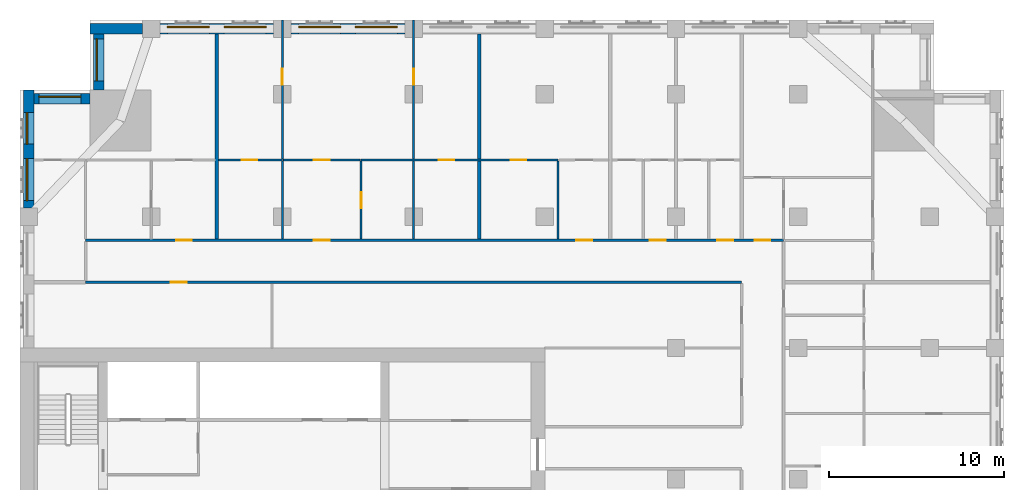
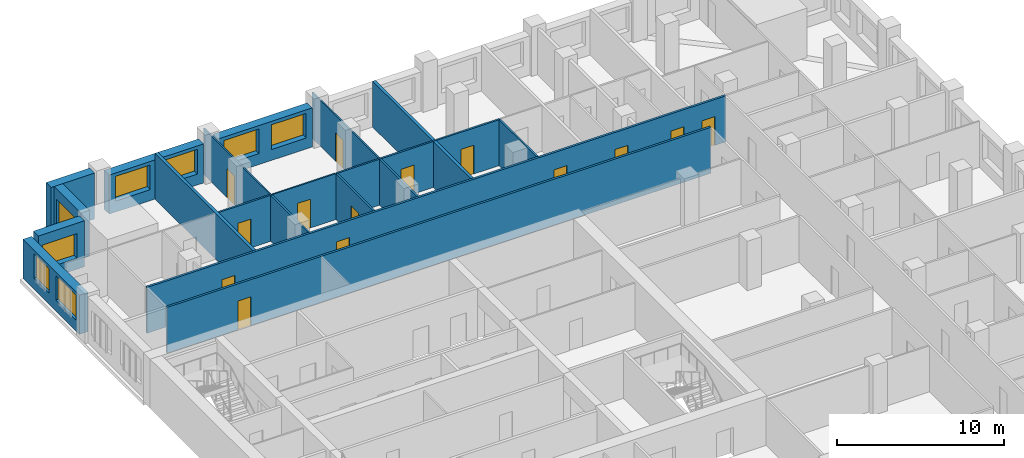
# One storey, part 9 of 14: 19 walls, 14 doors, 8 windows, 22 openings.
"""IFC4 building model written with IfcOpenShell, lengths in metres."""

from ifc_helpers import new_model, si_unit, direction, frame, frame_2d, origin, place, context, subcontext, project, spatial, rectangle, extrude, material, layer, layer_set, type_object, element, fill, save


model = new_model("IFC4")

# Units and contexts
model_context = context("Model", 3, precision=1e-05, world=origin(), true_north=direction((0.0, 1.0)))
body_context = subcontext(model_context, "Body", "Model", "MODEL_VIEW")
ifc_project = project(units=[si_unit("LENGTHUNIT", "METRE"), si_unit("AREAUNIT", "SQUARE_METRE"), si_unit("VOLUMEUNIT", "CUBIC_METRE"), si_unit("PLANEANGLEUNIT", "RADIAN"), si_unit("MASSUNIT", "GRAM", prefix="KILO")], contexts=[model_context])

# Site, building, storey
site_placement = place(None, origin())
site = spatial("IfcSite", under=ifc_project, at=site_placement, CompositionType="ELEMENT")
building_placement = place(site_placement, origin())
building = spatial("IfcBuilding", under=site, at=building_placement, Name="Tamorin Gate", CompositionType="ELEMENT")
storey_placement = place(building_placement, frame((0.0, 0.0, 137.39990234375)))
storey = spatial("IfcBuildingStorey", under=building, at=storey_placement, Name="L33", CompositionType="ELEMENT", Elevation=137.39990234375)

# Wall, openings, windows
ifc_material_1 = material(Name="Precast concrete C40/50", Category="concrete")
ifc_layer_1 = layer(ifc_material_1, 0.60009765625)
ifc_layer_set_1 = layer_set([ifc_layer_1], Name="Precast concrete C40/50")
wall_type_1 = type_object("IfcWallType", Name="Board-marked concrete facade panel 600", PredefinedType="SOLIDWALL", material=ifc_layer_set_1)
wall_1_placement = place(storey_placement, frame((52.0, 100.75, 0.0), z_axis=(0.0, 0.0, 1.0), x_axis=(-1.0, 0.0, 0.0)))
wall_1 = element("IfcWall", 1, at=wall_1_placement, inside=storey, type_object=wall_type_1, Name="Facade panel", PredefinedType="SOLIDWALL", context=body_context, shape_type="SweptSolid", body=[
    extrude(rectangle(XDim=6.5, YDim=0.60009765625, at=frame_2d((3.25, 0.0))), origin(), (0.0, 0.0, 1.0), 2.85009765625),
])
opening_1_placement = place(wall_1_placement, frame((3.675048828125, 0.0, 0.800048828125)))
opening_1 = element("IfcOpeningElement", 2, at=opening_1_placement, cuts=wall_1, Name="Opening WN1", PredefinedType="OPENING", context=body_context, shape_type="SweptSolid", body=[
    extrude(rectangle(XDim=2.39990234375, YDim=1.800048828125, at=frame_2d((1.199951171875, 0.89990234375))), frame((0.0, 0.31005859375, 0.0), z_axis=(0.0, -1.0, 0.0), x_axis=(1.0, 0.0, 0.0)), (0.0, 0.0, 1.0), 0.6201171875),
])
opening_2_placement = place(wall_1_placement, frame((0.425048828125, 0.0, 0.800048828125)))
opening_2 = element("IfcOpeningElement", 3, at=opening_2_placement, cuts=wall_1, Name="Opening WN1", PredefinedType="OPENING", context=body_context, shape_type="SweptSolid", body=[
    extrude(rectangle(XDim=2.39990234375, YDim=1.800048828125, at=frame_2d((1.199951171875, 0.89990234375))), frame((0.0, 0.31005859375, 0.0), z_axis=(0.0, -1.0, 0.0), x_axis=(1.0, 0.0, 0.0)), (0.0, 0.0, 1.0), 0.6201171875),
])
ifc_material_2 = material(Name="Clear glass in aluminium frame", Category="aluminium")
window_type_1 = type_object("IfcWindowType", Name="Deep-set window 2400x1800", PartitioningType="SINGLE_PANEL", PredefinedType="WINDOW", material=ifc_material_2)
window_1_placement = place(opening_1_placement, origin())
window_1 = element("IfcWindow", 4, at=window_1_placement, inside=storey, type_object=window_type_1, Name="Deep-set window", OverallHeight=1.800048828125, OverallWidth=2.39990234375, PartitioningType="SINGLE_PANEL", PredefinedType="WINDOW", context=body_context, shape_type="SweptSolid", body=[
    extrude(rectangle(XDim=2.39990234375, YDim=1.800048828125, at=frame_2d((1.199951171875, 0.89990234375))), frame((0.0, -0.070068359375, 0.0), z_axis=(0.0, -1.0, 0.0), x_axis=(1.0, 0.0, 0.0)), (0.0, 0.0, 1.0), 0.06005859375),
])
fill(opening_1, window_1)
window_2_placement = place(opening_2_placement, origin())
window_2 = element("IfcWindow", 5, at=window_2_placement, inside=storey, type_object=window_type_1, Name="Deep-set window", OverallHeight=1.800048828125, OverallWidth=2.39990234375, PartitioningType="SINGLE_PANEL", PredefinedType="WINDOW", context=body_context, shape_type="SweptSolid", body=[
    extrude(rectangle(XDim=2.39990234375, YDim=1.800048828125, at=frame_2d((1.199951171875, 0.89990234375))), frame((0.0, -0.070068359375, 0.0), z_axis=(0.0, -1.0, 0.0), x_axis=(1.0, 0.0, 0.0)), (0.0, 0.0, 1.0), 0.06005859375),
])
fill(opening_2, window_2)

wall_2_placement = place(storey_placement, frame((44.5, 100.75, 0.0), z_axis=(0.0, 0.0, 1.0), x_axis=(-1.0, 0.0, 0.0)))
wall_2 = element("IfcWall", 6, at=wall_2_placement, inside=storey, type_object=wall_type_1, Name="Facade panel", PredefinedType="SOLIDWALL", context=body_context, shape_type="SweptSolid", body=[
    extrude(rectangle(XDim=6.5, YDim=0.60009765625, at=frame_2d((3.25, 0.0))), origin(), (0.0, 0.0, 1.0), 2.85009765625),
])
opening_3_placement = place(wall_2_placement, frame((3.675048828125, 0.0, 0.800048828125)))
opening_3 = element("IfcOpeningElement", 7, at=opening_3_placement, cuts=wall_2, Name="Opening WN1", PredefinedType="OPENING", context=body_context, shape_type="SweptSolid", body=[
    extrude(rectangle(XDim=2.39990234375, YDim=1.800048828125, at=frame_2d((1.199951171875, 0.89990234375))), frame((0.0, 0.31005859375, 0.0), z_axis=(0.0, -1.0, 0.0), x_axis=(1.0, 0.0, 0.0)), (0.0, 0.0, 1.0), 0.6201171875),
])
opening_4_placement = place(wall_2_placement, frame((0.425048828125, 0.0, 0.800048828125)))
opening_4 = element("IfcOpeningElement", 8, at=opening_4_placement, cuts=wall_2, Name="Opening WN1", PredefinedType="OPENING", context=body_context, shape_type="SweptSolid", body=[
    extrude(rectangle(XDim=2.39990234375, YDim=1.800048828125, at=frame_2d((1.199951171875, 0.89990234375))), frame((0.0, 0.31005859375, 0.0), z_axis=(0.0, -1.0, 0.0), x_axis=(1.0, 0.0, 0.0)), (0.0, 0.0, 1.0), 0.6201171875),
])
window_3_placement = place(opening_3_placement, origin())
window_3 = element("IfcWindow", 9, at=window_3_placement, inside=storey, type_object=window_type_1, Name="Deep-set window", OverallHeight=1.800048828125, OverallWidth=2.39990234375, PartitioningType="SINGLE_PANEL", PredefinedType="WINDOW", context=body_context, shape_type="SweptSolid", body=[
    extrude(rectangle(XDim=2.39990234375, YDim=1.800048828125, at=frame_2d((1.199951171875, 0.89990234375))), frame((0.0, -0.070068359375, 0.0), z_axis=(0.0, -1.0, 0.0), x_axis=(1.0, 0.0, 0.0)), (0.0, 0.0, 1.0), 0.06005859375),
])
fill(opening_3, window_3)
window_4_placement = place(opening_4_placement, origin())
window_4 = element("IfcWindow", 10, at=window_4_placement, inside=storey, type_object=window_type_1, Name="Deep-set window", OverallHeight=1.800048828125, OverallWidth=2.39990234375, PartitioningType="SINGLE_PANEL", PredefinedType="WINDOW", context=body_context, shape_type="SweptSolid", body=[
    extrude(rectangle(XDim=2.39990234375, YDim=1.800048828125, at=frame_2d((1.199951171875, 0.89990234375))), frame((0.0, -0.070068359375, 0.0), z_axis=(0.0, -1.0, 0.0), x_axis=(1.0, 0.0, 0.0)), (0.0, 0.0, 1.0), 0.06005859375),
])
fill(opening_4, window_4)

# Wall
wall_3_placement = place(storey_placement, frame((37.0, 100.75, 0.0), z_axis=(0.0, 0.0, 1.0), x_axis=(-1.0, 0.0, 0.0)))
element("IfcWall", 11, at=wall_3_placement, inside=storey, type_object=wall_type_1, Name="Facade panel", PredefinedType="SOLIDWALL", context=body_context, shape_type="SweptSolid", body=[
    extrude(rectangle(XDim=3.0, YDim=0.60009765625, at=frame_2d((1.5, 0.0))), origin(), (0.0, 0.0, 1.0), 3.35009765625),
])

# Wall, opening, window
wall_4_placement = place(storey_placement, frame((34.5, 100.449951171875, 0.0), z_axis=(0.0, 0.0, 1.0), x_axis=(0.0, -1.0, 0.0)))
wall_4 = element("IfcWall", 12, at=wall_4_placement, inside=storey, type_object=wall_type_1, Name="Facade panel", PredefinedType="SOLIDWALL", context=body_context, shape_type="SweptSolid", body=[
    extrude(rectangle(XDim=3.199951171875, YDim=0.60009765625, at=frame_2d((1.60009765625, 0.0))), origin(), (0.0, 0.0, 1.0), 3.35009765625),
])
opening_5_placement = place(wall_4_placement, frame((0.27490234375, 0.0, 0.800048828125)))
opening_5 = element("IfcOpeningElement", 13, at=opening_5_placement, cuts=wall_4, Name="Opening WN1", PredefinedType="OPENING", context=body_context, shape_type="SweptSolid", body=[
    extrude(rectangle(XDim=2.39990234375, YDim=1.800048828125, at=frame_2d((1.199951171875, 0.89990234375))), frame((0.0, 0.31005859375, 0.0), z_axis=(0.0, -1.0, 0.0), x_axis=(1.0, 0.0, 0.0)), (0.0, 0.0, 1.0), 0.6201171875),
])
window_5_placement = place(opening_5_placement, origin())
window_5 = element("IfcWindow", 14, at=window_5_placement, inside=storey, type_object=window_type_1, Name="Deep-set window", OverallHeight=1.800048828125, OverallWidth=2.39990234375, PartitioningType="SINGLE_PANEL", PredefinedType="WINDOW", context=body_context, shape_type="SweptSolid", body=[
    extrude(rectangle(XDim=2.39990234375, YDim=1.800048828125, at=frame_2d((1.199951171875, 0.89990234375))), frame((0.0, -0.070068359375, 0.0), z_axis=(0.0, -1.0, 0.0), x_axis=(1.0, 0.0, 0.0)), (0.0, 0.0, 1.0), 0.06005859375),
])
fill(opening_5, window_5)

wall_5_placement = place(storey_placement, frame((34.0, 96.75, 0.0), z_axis=(0.0, 0.0, 1.0), x_axis=(-1.0, 0.0, 0.0)))
wall_5 = element("IfcWall", 15, at=wall_5_placement, inside=storey, type_object=wall_type_1, Name="Facade panel", PredefinedType="SOLIDWALL", context=body_context, shape_type="SweptSolid", body=[
    extrude(rectangle(XDim=3.199951171875, YDim=0.60009765625, at=frame_2d((1.60009765625, 0.0))), origin(), (0.0, 0.0, 1.0), 3.35009765625),
])
opening_6_placement = place(wall_5_placement, frame((0.52490234375, 0.0, 0.800048828125)))
opening_6 = element("IfcOpeningElement", 16, at=opening_6_placement, cuts=wall_5, Name="Opening WN1", PredefinedType="OPENING", context=body_context, shape_type="SweptSolid", body=[
    extrude(rectangle(XDim=2.39990234375, YDim=1.800048828125, at=frame_2d((1.199951171875, 0.89990234375))), frame((0.0, 0.31005859375, 0.0), z_axis=(0.0, -1.0, 0.0), x_axis=(1.0, 0.0, 0.0)), (0.0, 0.0, 1.0), 0.6201171875),
])
window_6_placement = place(opening_6_placement, origin())
window_6 = element("IfcWindow", 17, at=window_6_placement, inside=storey, type_object=window_type_1, Name="Deep-set window", OverallHeight=1.800048828125, OverallWidth=2.39990234375, PartitioningType="SINGLE_PANEL", PredefinedType="WINDOW", context=body_context, shape_type="SweptSolid", body=[
    extrude(rectangle(XDim=2.39990234375, YDim=1.800048828125, at=frame_2d((1.199951171875, 0.89990234375))), frame((0.0, -0.070068359375, 0.0), z_axis=(0.0, -1.0, 0.0), x_axis=(1.0, 0.0, 0.0)), (0.0, 0.0, 1.0), 0.06005859375),
])
fill(opening_6, window_6)

# Wall, openings, windows
wall_6_placement = place(storey_placement, frame((30.5, 97.25, 0.0), z_axis=(0.0, 0.0, 1.0), x_axis=(0.0, -1.0, 0.0)))
wall_6 = element("IfcWall", 18, at=wall_6_placement, inside=storey, type_object=wall_type_1, Name="Facade panel", PredefinedType="SOLIDWALL", context=body_context, shape_type="SweptSolid", body=[
    extrude(rectangle(XDim=6.75, YDim=0.60009765625, at=frame_2d((3.375, 0.0))), origin(), (0.0, 0.0, 1.0), 2.85009765625),
])
opening_7_placement = place(wall_6_placement, frame((3.925048828125, 0.0, 0.800048828125)))
opening_7 = element("IfcOpeningElement", 19, at=opening_7_placement, cuts=wall_6, Name="Opening WN1", PredefinedType="OPENING", context=body_context, shape_type="SweptSolid", body=[
    extrude(rectangle(XDim=2.39990234375, YDim=1.800048828125, at=frame_2d((1.199951171875, 0.89990234375))), frame((0.0, 0.31005859375, 0.0), z_axis=(0.0, -1.0, 0.0), x_axis=(1.0, 0.0, 0.0)), (0.0, 0.0, 1.0), 0.6201171875),
])
opening_8_placement = place(wall_6_placement, frame((1.300048828125, 0.0, 0.800048828125)))
opening_8 = element("IfcOpeningElement", 20, at=opening_8_placement, cuts=wall_6, Name="Opening WN2", PredefinedType="OPENING", context=body_context, shape_type="SweptSolid", body=[
    extrude(rectangle(XDim=1.800048828125, YDim=1.800048828125, at=frame_2d((0.89990234375, 0.89990234375))), frame((0.0, 0.31005859375, 0.0), z_axis=(0.0, -1.0, 0.0), x_axis=(1.0, 0.0, 0.0)), (0.0, 0.0, 1.0), 0.6201171875),
])
window_type_2 = type_object("IfcWindowType", Name="Deep-set window 1800x1800", PartitioningType="SINGLE_PANEL", PredefinedType="WINDOW", material=ifc_material_2)
window_7_placement = place(opening_8_placement, origin())
window_7 = element("IfcWindow", 21, at=window_7_placement, inside=storey, type_object=window_type_2, Name="Deep-set window", OverallHeight=1.800048828125, OverallWidth=1.800048828125, PartitioningType="SINGLE_PANEL", PredefinedType="WINDOW", context=body_context, shape_type="SweptSolid", body=[
    extrude(rectangle(XDim=1.800048828125, YDim=1.800048828125, at=frame_2d((0.89990234375, 0.89990234375))), frame((0.0, -0.070068359375, 0.0), z_axis=(0.0, -1.0, 0.0), x_axis=(1.0, 0.0, 0.0)), (0.0, 0.0, 1.0), 0.06005859375),
])
fill(opening_8, window_7)
window_8_placement = place(opening_7_placement, origin())
window_8 = element("IfcWindow", 22, at=window_8_placement, inside=storey, type_object=window_type_1, Name="Deep-set window", OverallHeight=1.800048828125, OverallWidth=2.39990234375, PartitioningType="SINGLE_PANEL", PredefinedType="WINDOW", context=body_context, shape_type="SweptSolid", body=[
    extrude(rectangle(XDim=2.39990234375, YDim=1.800048828125, at=frame_2d((1.199951171875, 0.89990234375))), frame((0.0, -0.070068359375, 0.0), z_axis=(0.0, -1.0, 0.0), x_axis=(1.0, 0.0, 0.0)), (0.0, 0.0, 1.0), 0.06005859375),
])
fill(opening_7, window_8)

# Wall, opening, door
ifc_material_3 = material(Name="Gypsum board partition")
ifc_layer_2 = layer(ifc_material_3, 0.14990234375)
ifc_layer_set_2 = layer_set([ifc_layer_2], Name="Corridor wall 150")
wall_type_2 = type_object("IfcWallType", Name="Corridor wall 150", PredefinedType="PARTITIONING", material=ifc_layer_set_2)
wall_7_placement = place(storey_placement, frame((33.75, 86.25, 0.0), z_axis=(0.0, 0.0, 1.0), x_axis=(1.0, 0.0, 0.0)))
wall_7 = element("IfcWall", 23, at=wall_7_placement, inside=storey, type_object=wall_type_2, Name="Corridor wall 150", PredefinedType="PARTITIONING", context=body_context, shape_type="SweptSolid", body=[
    extrude(rectangle(XDim=37.5, YDim=0.14990234375, at=frame_2d((18.75, 0.0))), origin(), (0.0, 0.0, 1.0), 3.35009765625),
])
opening_9_placement = place(wall_7_placement, frame((4.875, 0.0, 0.0)))
opening_9 = element("IfcOpeningElement", 24, at=opening_9_placement, cuts=wall_7, Name="Opening DS3073", PredefinedType="OPENING", context=body_context, shape_type="SweptSolid", body=[
    extrude(rectangle(XDim=0.89990234375, YDim=2.10009765625, at=frame_2d((0.449951171875, 1.050048828125))), frame((0.0, 0.0849609375, 0.0), z_axis=(0.0, -1.0, 0.0), x_axis=(1.0, 0.0, 0.0)), (0.0, 0.0, 1.0), 0.169921875),
])
ifc_material_4 = material(Name="Timber door leaf", Category="wood")
door_type_1 = type_object("IfcDoorType", Name="Door 900 x 2100 FD30S", OperationType="NOTDEFINED", PredefinedType="DOOR", material=ifc_material_4)
door_1_placement = place(opening_9_placement, origin())
door_1 = element("IfcDoor", 25, at=door_1_placement, inside=storey, type_object=door_type_1, Name="Door DS3073", OperationType="SINGLE_SWING_RIGHT", OverallHeight=2.10009765625, OverallWidth=0.89990234375, PredefinedType="DOOR", context=body_context, shape_type="SweptSolid", body=[
    extrude(rectangle(XDim=0.89990234375, YDim=2.10009765625, at=frame_2d((0.449951171875, 1.050048828125))), frame((0.0, 0.02490234375, 0.0), z_axis=(0.0, -1.0, 0.0), x_axis=(1.0, 0.0, 0.0)), (0.0, 0.0, 1.0), 0.050048828125),
])
fill(opening_9, door_1)

# Wall, openings, doors
wall_8_placement = place(storey_placement, frame((33.75, 88.64990234375, 0.0), z_axis=(0.0, 0.0, 1.0), x_axis=(1.0, 0.0, 0.0)))
wall_8 = element("IfcWall", 26, at=wall_8_placement, inside=storey, type_object=wall_type_2, Name="Corridor wall 150", PredefinedType="PARTITIONING", context=body_context, shape_type="SweptSolid", body=[
    extrude(rectangle(XDim=39.89990234375, YDim=0.14990234375, at=frame_2d((19.949951171875, 0.0))), origin(), (0.0, 0.0, 1.0), 3.35009765625),
])
opening_10_placement = place(wall_8_placement, frame((5.175048828125, 0.0, 0.0)))
opening_10 = element("IfcOpeningElement", 27, at=opening_10_placement, cuts=wall_8, Name="Opening DS3020", PredefinedType="OPENING", context=body_context, shape_type="SweptSolid", body=[
    extrude(rectangle(XDim=0.89990234375, YDim=2.10009765625, at=frame_2d((0.449951171875, 1.050048828125))), frame((0.0, 0.0849609375, 0.0), z_axis=(0.0, -1.0, 0.0), x_axis=(1.0, 0.0, 0.0)), (0.0, 0.0, 1.0), 0.169921875),
])
opening_11_placement = place(wall_8_placement, frame((13.050048828125, 0.0, 0.0)))
opening_11 = element("IfcOpeningElement", 28, at=opening_11_placement, cuts=wall_8, Name="Opening DS3023", PredefinedType="OPENING", context=body_context, shape_type="SweptSolid", body=[
    extrude(rectangle(XDim=0.89990234375, YDim=2.10009765625, at=frame_2d((0.449951171875, 1.050048828125))), frame((0.0, 0.0849609375, 0.0), z_axis=(0.0, -1.0, 0.0), x_axis=(1.0, 0.0, 0.0)), (0.0, 0.0, 1.0), 0.169921875),
])
opening_12_placement = place(wall_8_placement, frame((28.050048828125, 0.0, 0.0)))
opening_12 = element("IfcOpeningElement", 29, at=opening_12_placement, cuts=wall_8, Name="Opening DS3030", PredefinedType="OPENING", context=body_context, shape_type="SweptSolid", body=[
    extrude(rectangle(XDim=0.89990234375, YDim=2.10009765625, at=frame_2d((0.449951171875, 1.050048828125))), frame((0.0, 0.0849609375, 0.0), z_axis=(0.0, -1.0, 0.0), x_axis=(1.0, 0.0, 0.0)), (0.0, 0.0, 1.0), 0.169921875),
])
opening_13_placement = place(wall_8_placement, frame((32.262451171875, 0.0, 0.0)))
opening_13 = element("IfcOpeningElement", 30, at=opening_13_placement, cuts=wall_8, Name="Opening DS3033", PredefinedType="OPENING", context=body_context, shape_type="SweptSolid", body=[
    extrude(rectangle(XDim=0.89990234375, YDim=2.10009765625, at=frame_2d((0.449951171875, 1.050048828125))), frame((0.0, 0.0849609375, 0.0), z_axis=(0.0, -1.0, 0.0), x_axis=(1.0, 0.0, 0.0)), (0.0, 0.0, 1.0), 0.169921875),
])
opening_14_placement = place(wall_8_placement, frame((36.112548828125, 0.0, 0.0)))
opening_14 = element("IfcOpeningElement", 31, at=opening_14_placement, cuts=wall_8, Name="Opening DS3036", PredefinedType="OPENING", context=body_context, shape_type="SweptSolid", body=[
    extrude(rectangle(XDim=0.89990234375, YDim=2.10009765625, at=frame_2d((0.449951171875, 1.050048828125))), frame((0.0, 0.0849609375, 0.0), z_axis=(0.0, -1.0, 0.0), x_axis=(1.0, 0.0, 0.0)), (0.0, 0.0, 1.0), 0.169921875),
])
opening_15_placement = place(wall_8_placement, frame((38.25, 0.0, 0.0)))
opening_15 = element("IfcOpeningElement", 32, at=opening_15_placement, cuts=wall_8, Name="Opening DS3062", PredefinedType="OPENING", context=body_context, shape_type="SweptSolid", body=[
    extrude(rectangle(XDim=0.89990234375, YDim=2.10009765625, at=frame_2d((0.449951171875, 1.050048828125))), frame((0.0, 0.0849609375, 0.0), z_axis=(0.0, -1.0, 0.0), x_axis=(1.0, 0.0, 0.0)), (0.0, 0.0, 1.0), 0.169921875),
])
door_2_placement = place(opening_10_placement, origin())
door_2 = element("IfcDoor", 33, at=door_2_placement, inside=storey, type_object=door_type_1, Name="Door DS3020", OperationType="SINGLE_SWING_LEFT", OverallHeight=2.10009765625, OverallWidth=0.89990234375, PredefinedType="DOOR", context=body_context, shape_type="SweptSolid", body=[
    extrude(rectangle(XDim=0.89990234375, YDim=2.10009765625, at=frame_2d((0.449951171875, 1.050048828125))), frame((0.0, 0.02490234375, 0.0), z_axis=(0.0, -1.0, 0.0), x_axis=(1.0, 0.0, 0.0)), (0.0, 0.0, 1.0), 0.050048828125),
])
fill(opening_10, door_2)
door_3_placement = place(opening_11_placement, origin())
door_3 = element("IfcDoor", 34, at=door_3_placement, inside=storey, type_object=door_type_1, Name="Door DS3023", OperationType="SINGLE_SWING_LEFT", OverallHeight=2.10009765625, OverallWidth=0.89990234375, PredefinedType="DOOR", context=body_context, shape_type="SweptSolid", body=[
    extrude(rectangle(XDim=0.89990234375, YDim=2.10009765625, at=frame_2d((0.449951171875, 1.050048828125))), frame((0.0, 0.02490234375, 0.0), z_axis=(0.0, -1.0, 0.0), x_axis=(1.0, 0.0, 0.0)), (0.0, 0.0, 1.0), 0.050048828125),
])
fill(opening_11, door_3)
door_4_placement = place(opening_12_placement, origin())
door_4 = element("IfcDoor", 35, at=door_4_placement, inside=storey, type_object=door_type_1, Name="Door DS3030", OperationType="SINGLE_SWING_LEFT", OverallHeight=2.10009765625, OverallWidth=0.89990234375, PredefinedType="DOOR", context=body_context, shape_type="SweptSolid", body=[
    extrude(rectangle(XDim=0.89990234375, YDim=2.10009765625, at=frame_2d((0.449951171875, 1.050048828125))), frame((0.0, 0.02490234375, 0.0), z_axis=(0.0, -1.0, 0.0), x_axis=(1.0, 0.0, 0.0)), (0.0, 0.0, 1.0), 0.050048828125),
])
fill(opening_12, door_4)
door_5_placement = place(opening_13_placement, origin())
door_5 = element("IfcDoor", 36, at=door_5_placement, inside=storey, type_object=door_type_1, Name="Door DS3033", OperationType="SINGLE_SWING_LEFT", OverallHeight=2.10009765625, OverallWidth=0.89990234375, PredefinedType="DOOR", context=body_context, shape_type="SweptSolid", body=[
    extrude(rectangle(XDim=0.89990234375, YDim=2.10009765625, at=frame_2d((0.449951171875, 1.050048828125))), frame((0.0, 0.02490234375, 0.0), z_axis=(0.0, -1.0, 0.0), x_axis=(1.0, 0.0, 0.0)), (0.0, 0.0, 1.0), 0.050048828125),
])
fill(opening_13, door_5)
door_6_placement = place(opening_14_placement, origin())
door_6 = element("IfcDoor", 37, at=door_6_placement, inside=storey, type_object=door_type_1, Name="Door DS3036", OperationType="SINGLE_SWING_LEFT", OverallHeight=2.10009765625, OverallWidth=0.89990234375, PredefinedType="DOOR", context=body_context, shape_type="SweptSolid", body=[
    extrude(rectangle(XDim=0.89990234375, YDim=2.10009765625, at=frame_2d((0.449951171875, 1.050048828125))), frame((0.0, 0.02490234375, 0.0), z_axis=(0.0, -1.0, 0.0), x_axis=(1.0, 0.0, 0.0)), (0.0, 0.0, 1.0), 0.050048828125),
])
fill(opening_14, door_6)
door_7_placement = place(opening_15_placement, origin())
door_7 = element("IfcDoor", 38, at=door_7_placement, inside=storey, type_object=door_type_1, Name="Door DS3062", OperationType="SINGLE_SWING_RIGHT", OverallHeight=2.10009765625, OverallWidth=0.89990234375, PredefinedType="DOOR", context=body_context, shape_type="SweptSolid", body=[
    extrude(rectangle(XDim=0.89990234375, YDim=2.10009765625, at=frame_2d((0.449951171875, 1.050048828125))), frame((0.0, 0.02490234375, 0.0), z_axis=(0.0, -1.0, 0.0), x_axis=(1.0, 0.0, 0.0)), (0.0, 0.0, 1.0), 0.050048828125),
])
fill(opening_15, door_7)

# Walls
ifc_layer_3 = layer(ifc_material_3, 0.199951171875)
ifc_layer_set_3 = layer_set([ifc_layer_3], Name="Demising wall 200")
wall_type_3 = type_object("IfcWallType", Name="Demising wall 200", PredefinedType="PARTITIONING", material=ifc_layer_set_3)
for number, where, z_axis, x_axis, name in (
    (39, (41.25, 88.72509765625, 0.0), (0.0, 0.0, 1.0), (0.0, 1.0, 0.0), "Demising wall 200"),
    (40, (56.25, 88.72509765625, 0.0), (0.0, 0.0, 1.0), (0.0, 1.0, 0.0), "Demising wall 200"),
):
    element("IfcWall", number, at=place(storey_placement, frame(where, z_axis=z_axis, x_axis=x_axis)), inside=storey, type_object=wall_type_3, Name=name, PredefinedType="PARTITIONING", context=body_context, shape_type="SweptSolid", body=[
        extrude(rectangle(XDim=11.71484375, YDim=0.199951171875, at=frame_2d((5.857421875, 0.0))), origin(), (0.0, 0.0, 1.0), 3.35009765625),
    ])

# Wall, opening, door
ifc_layer_4 = layer(ifc_material_3, 0.10009765625)
ifc_layer_set_4 = layer_set([ifc_layer_4], Name="Room partition 100")
wall_type_4 = type_object("IfcWallType", Name="Room partition 100", PredefinedType="PARTITIONING", material=ifc_layer_set_4)
wall_9_placement = place(storey_placement, frame((45.0625, 93.25, 0.0), z_axis=(0.0, 0.0, 1.0), x_axis=(1.0, 0.0, 0.0)))
wall_9 = element("IfcWall", 41, at=wall_9_placement, inside=storey, type_object=wall_type_4, Name="Room partition 100", PredefinedType="PARTITIONING", context=body_context, shape_type="SweptSolid", body=[
    extrude(rectangle(XDim=4.375, YDim=0.10009765625, at=frame_2d((2.1875, 0.0))), origin(), (0.0, 0.0, 1.0), 3.35009765625),
])
opening_16_placement = place(wall_9_placement, frame((1.737548828125, 0.0, 0.0)))
opening_16 = element("IfcOpeningElement", 42, at=opening_16_placement, cuts=wall_9, Name="Opening DS3024", PredefinedType="OPENING", context=body_context, shape_type="SweptSolid", body=[
    extrude(rectangle(XDim=0.89990234375, YDim=2.10009765625, at=frame_2d((0.449951171875, 1.050048828125))), frame((0.0, 0.06005859375, 0.0), z_axis=(0.0, -1.0, 0.0), x_axis=(1.0, 0.0, 0.0)), (0.0, 0.0, 1.0), 0.1201171875),
])
door_type_2 = type_object("IfcDoorType", Name="Door 900 x 2100", OperationType="NOTDEFINED", PredefinedType="DOOR", material=ifc_material_4)
door_8_placement = place(opening_16_placement, origin())
door_8 = element("IfcDoor", 43, at=door_8_placement, inside=storey, type_object=door_type_2, Name="Door DS3024", OperationType="SINGLE_SWING_RIGHT", OverallHeight=2.10009765625, OverallWidth=0.89990234375, PredefinedType="DOOR", context=body_context, shape_type="SweptSolid", body=[
    extrude(rectangle(XDim=0.89990234375, YDim=2.10009765625, at=frame_2d((0.449951171875, 1.050048828125))), frame((0.0, 0.02490234375, 0.0), z_axis=(0.0, -1.0, 0.0), x_axis=(1.0, 0.0, 0.0)), (0.0, 0.0, 1.0), 0.050048828125),
])
fill(opening_16, door_8)

wall_10_placement = place(storey_placement, frame((45.0, 93.3125, 0.0), z_axis=(0.0, 0.0, 1.0), x_axis=(0.0, 1.0, 0.0)))
wall_10 = element("IfcWall", 44, at=wall_10_placement, inside=storey, type_object=wall_type_4, Name="Room partition 100", PredefinedType="PARTITIONING", context=body_context, shape_type="SweptSolid", body=[
    extrude(rectangle(XDim=7.9375, YDim=0.10009765625, at=frame_2d((3.96875, 0.0))), origin(), (0.0, 0.0, 1.0), 3.35009765625),
])
opening_17_placement = place(wall_10_placement, frame((4.237548828125, 0.0, 0.0)))
opening_17 = element("IfcOpeningElement", 45, at=opening_17_placement, cuts=wall_10, Name="Opening DS3027", PredefinedType="OPENING", context=body_context, shape_type="SweptSolid", body=[
    extrude(rectangle(XDim=0.89990234375, YDim=2.10009765625, at=frame_2d((0.449951171875, 1.050048828125))), frame((0.0, 0.06005859375, 0.0), z_axis=(0.0, -1.0, 0.0), x_axis=(1.0, 0.0, 0.0)), (0.0, 0.0, 1.0), 0.1201171875),
])
door_9_placement = place(opening_17_placement, origin())
door_9 = element("IfcDoor", 46, at=door_9_placement, inside=storey, type_object=door_type_2, Name="Door DS3027", OperationType="SINGLE_SWING_RIGHT", OverallHeight=2.10009765625, OverallWidth=0.89990234375, PredefinedType="DOOR", context=body_context, shape_type="SweptSolid", body=[
    extrude(rectangle(XDim=0.89990234375, YDim=2.10009765625, at=frame_2d((0.449951171875, 1.050048828125))), frame((0.0, 0.02490234375, 0.0), z_axis=(0.0, -1.0, 0.0), x_axis=(1.0, 0.0, 0.0)), (0.0, 0.0, 1.0), 0.050048828125),
])
fill(opening_17, door_9)

wall_11_placement = place(storey_placement, frame((52.5, 93.3125, 0.0), z_axis=(0.0, 0.0, 1.0), x_axis=(0.0, 1.0, 0.0)))
wall_11 = element("IfcWall", 47, at=wall_11_placement, inside=storey, type_object=wall_type_4, Name="Room partition 100", PredefinedType="PARTITIONING", context=body_context, shape_type="SweptSolid", body=[
    extrude(rectangle(XDim=7.9375, YDim=0.10009765625, at=frame_2d((3.96875, 0.0))), origin(), (0.0, 0.0, 1.0), 3.35009765625),
])
opening_18_placement = place(wall_11_placement, frame((4.237548828125, 0.0, 0.0)))
opening_18 = element("IfcOpeningElement", 48, at=opening_18_placement, cuts=wall_11, Name="Opening DS3028", PredefinedType="OPENING", context=body_context, shape_type="SweptSolid", body=[
    extrude(rectangle(XDim=0.89990234375, YDim=2.10009765625, at=frame_2d((0.449951171875, 1.050048828125))), frame((0.0, 0.06005859375, 0.0), z_axis=(0.0, -1.0, 0.0), x_axis=(1.0, 0.0, 0.0)), (0.0, 0.0, 1.0), 0.1201171875),
])
door_10_placement = place(opening_18_placement, origin())
door_10 = element("IfcDoor", 49, at=door_10_placement, inside=storey, type_object=door_type_2, Name="Door DS3028", OperationType="SINGLE_SWING_RIGHT", OverallHeight=2.10009765625, OverallWidth=0.89990234375, PredefinedType="DOOR", context=body_context, shape_type="SweptSolid", body=[
    extrude(rectangle(XDim=0.89990234375, YDim=2.10009765625, at=frame_2d((0.449951171875, 1.050048828125))), frame((0.0, 0.02490234375, 0.0), z_axis=(0.0, -1.0, 0.0), x_axis=(1.0, 0.0, 0.0)), (0.0, 0.0, 1.0), 0.050048828125),
])
fill(opening_18, door_10)

ifc_layer_5 = layer(ifc_material_3, 0.125)
ifc_layer_set_5 = layer_set([ifc_layer_5], Name="Wet wall 125")
wall_type_5 = type_object("IfcWallType", Name="Wet wall 125", PredefinedType="PARTITIONING", material=ifc_layer_set_5)
wall_12_placement = place(storey_placement, frame((41.35009765625, 93.25, 0.0), z_axis=(0.0, 0.0, 1.0), x_axis=(1.0, 0.0, 0.0)))
wall_12 = element("IfcWall", 50, at=wall_12_placement, inside=storey, type_object=wall_type_5, Name="Wet wall 125", PredefinedType="PARTITIONING", context=body_context, shape_type="SweptSolid", body=[
    extrude(rectangle(XDim=3.64990234375, YDim=0.125, at=frame_2d((1.824951171875, 0.0))), origin(), (0.0, 0.0, 1.0), 3.35009765625),
])
opening_19_placement = place(wall_12_placement, frame((1.324951171875, 0.0, 0.0)))
opening_19 = element("IfcOpeningElement", 51, at=opening_19_placement, cuts=wall_12, Name="Opening DS3022", PredefinedType="OPENING", context=body_context, shape_type="SweptSolid", body=[
    extrude(rectangle(XDim=0.89990234375, YDim=2.10009765625, at=frame_2d((0.449951171875, 1.050048828125))), frame((0.0, 0.072509765625, 0.0), z_axis=(0.0, -1.0, 0.0), x_axis=(1.0, 0.0, 0.0)), (0.0, 0.0, 1.0), 0.14501953125),
])
door_11_placement = place(opening_19_placement, origin())
door_11 = element("IfcDoor", 52, at=door_11_placement, inside=storey, type_object=door_type_2, Name="Door DS3022", OperationType="SINGLE_SWING_RIGHT", OverallHeight=2.10009765625, OverallWidth=0.89990234375, PredefinedType="DOOR", context=body_context, shape_type="SweptSolid", body=[
    extrude(rectangle(XDim=0.89990234375, YDim=2.10009765625, at=frame_2d((0.449951171875, 1.050048828125))), frame((0.0, 0.02490234375, 0.0), z_axis=(0.0, -1.0, 0.0), x_axis=(1.0, 0.0, 0.0)), (0.0, 0.0, 1.0), 0.050048828125),
])
fill(opening_19, door_11)

# Wall, openings, doors
wall_13_placement = place(storey_placement, frame((49.5, 93.25, 0.0), z_axis=(0.0, 0.0, 1.0), x_axis=(1.0, 0.0, 0.0)))
wall_13 = element("IfcWall", 53, at=wall_13_placement, inside=storey, type_object=wall_type_5, Name="Wet wall 125", PredefinedType="PARTITIONING", context=body_context, shape_type="SweptSolid", body=[
    extrude(rectangle(XDim=11.25, YDim=0.125, at=frame_2d((5.625, 0.0))), origin(), (0.0, 0.0, 1.0), 3.35009765625),
])
opening_20_placement = place(wall_13_placement, frame((4.425048828125, 0.0, 0.0)))
opening_20 = element("IfcOpeningElement", 54, at=opening_20_placement, cuts=wall_13, Name="Opening DS3026", PredefinedType="OPENING", context=body_context, shape_type="SweptSolid", body=[
    extrude(rectangle(XDim=0.89990234375, YDim=2.10009765625, at=frame_2d((0.449951171875, 1.050048828125))), frame((0.0, 0.072509765625, 0.0), z_axis=(0.0, -1.0, 0.0), x_axis=(1.0, 0.0, 0.0)), (0.0, 0.0, 1.0), 0.14501953125),
])
opening_21_placement = place(wall_13_placement, frame((8.550048828125, 0.0, 0.0)))
opening_21 = element("IfcOpeningElement", 55, at=opening_21_placement, cuts=wall_13, Name="Opening DS3029", PredefinedType="OPENING", context=body_context, shape_type="SweptSolid", body=[
    extrude(rectangle(XDim=0.89990234375, YDim=2.10009765625, at=frame_2d((0.449951171875, 1.050048828125))), frame((0.0, 0.072509765625, 0.0), z_axis=(0.0, -1.0, 0.0), x_axis=(1.0, 0.0, 0.0)), (0.0, 0.0, 1.0), 0.14501953125),
])
door_12_placement = place(opening_20_placement, origin())
door_12 = element("IfcDoor", 56, at=door_12_placement, inside=storey, type_object=door_type_2, Name="Door DS3026", OperationType="SINGLE_SWING_RIGHT", OverallHeight=2.10009765625, OverallWidth=0.89990234375, PredefinedType="DOOR", context=body_context, shape_type="SweptSolid", body=[
    extrude(rectangle(XDim=0.89990234375, YDim=2.10009765625, at=frame_2d((0.449951171875, 1.050048828125))), frame((0.0, 0.02490234375, 0.0), z_axis=(0.0, -1.0, 0.0), x_axis=(1.0, 0.0, 0.0)), (0.0, 0.0, 1.0), 0.050048828125),
])
fill(opening_20, door_12)
door_13_placement = place(opening_21_placement, origin())
door_13 = element("IfcDoor", 57, at=door_13_placement, inside=storey, type_object=door_type_2, Name="Door DS3029", OperationType="SINGLE_SWING_RIGHT", OverallHeight=2.10009765625, OverallWidth=0.89990234375, PredefinedType="DOOR", context=body_context, shape_type="SweptSolid", body=[
    extrude(rectangle(XDim=0.89990234375, YDim=2.10009765625, at=frame_2d((0.449951171875, 1.050048828125))), frame((0.0, 0.02490234375, 0.0), z_axis=(0.0, -1.0, 0.0), x_axis=(1.0, 0.0, 0.0)), (0.0, 0.0, 1.0), 0.050048828125),
])
fill(opening_21, door_13)

# Wall
wall_14_placement = place(storey_placement, frame((45.0, 88.72509765625, 0.0), z_axis=(0.0, 0.0, 1.0), x_axis=(0.0, 1.0, 0.0)))
element("IfcWall", 58, at=wall_14_placement, inside=storey, type_object=wall_type_5, Name="Wet wall 125", PredefinedType="PARTITIONING", context=body_context, shape_type="SweptSolid", body=[
    extrude(rectangle(XDim=4.46240234375, YDim=0.125, at=frame_2d((2.231201171875, 0.0))), origin(), (0.0, 0.0, 1.0), 3.35009765625),
])

# Wall, opening, door
wall_15_placement = place(storey_placement, frame((49.5, 88.72509765625, 0.0), z_axis=(0.0, 0.0, 1.0), x_axis=(0.0, 1.0, 0.0)))
wall_15 = element("IfcWall", 59, at=wall_15_placement, inside=storey, type_object=wall_type_5, Name="Wet wall 125", PredefinedType="PARTITIONING", context=body_context, shape_type="SweptSolid", body=[
    extrude(rectangle(XDim=4.46240234375, YDim=0.125, at=frame_2d((2.231201171875, 0.0))), origin(), (0.0, 0.0, 1.0), 3.35009765625),
])
opening_22_placement = place(wall_15_placement, frame((1.77490234375, 0.0, 0.0)))
opening_22 = element("IfcOpeningElement", 60, at=opening_22_placement, cuts=wall_15, Name="Opening DS3025", PredefinedType="OPENING", context=body_context, shape_type="SweptSolid", body=[
    extrude(rectangle(XDim=0.89990234375, YDim=2.10009765625, at=frame_2d((0.449951171875, 1.050048828125))), frame((0.0, 0.072509765625, 0.0), z_axis=(0.0, -1.0, 0.0), x_axis=(1.0, 0.0, 0.0)), (0.0, 0.0, 1.0), 0.14501953125),
])
door_14_placement = place(opening_22_placement, origin())
door_14 = element("IfcDoor", 61, at=door_14_placement, inside=storey, type_object=door_type_2, Name="Door DS3025", OperationType="SINGLE_SWING_LEFT", OverallHeight=2.10009765625, OverallWidth=0.89990234375, PredefinedType="DOOR", context=body_context, shape_type="SweptSolid", body=[
    extrude(rectangle(XDim=0.89990234375, YDim=2.10009765625, at=frame_2d((0.449951171875, 1.050048828125))), frame((0.0, 0.02490234375, 0.0), z_axis=(0.0, -1.0, 0.0), x_axis=(1.0, 0.0, 0.0)), (0.0, 0.0, 1.0), 0.050048828125),
])
fill(opening_22, door_14)

# Walls
for number, where, z_axis, x_axis, name in (
    (62, (52.5, 88.72509765625, 0.0), (0.0, 0.0, 1.0), (0.0, 1.0, 0.0), "Wet wall 125"),
    (63, (60.75, 88.72509765625, 0.0), (0.0, 0.0, 1.0), (0.0, 1.0, 0.0), "Wet wall 125"),
):
    element("IfcWall", number, at=place(storey_placement, frame(where, z_axis=z_axis, x_axis=x_axis)), inside=storey, type_object=wall_type_5, Name=name, PredefinedType="PARTITIONING", context=body_context, shape_type="SweptSolid", body=[
        extrude(rectangle(XDim=4.46240234375, YDim=0.125, at=frame_2d((2.231201171875, 0.0))), origin(), (0.0, 0.0, 1.0), 3.35009765625),
    ])

save(model, "model.ifc")
